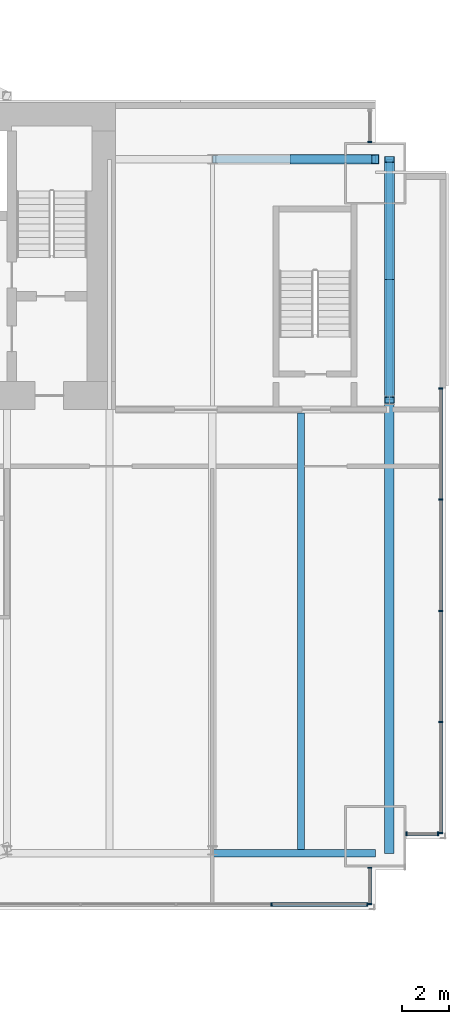
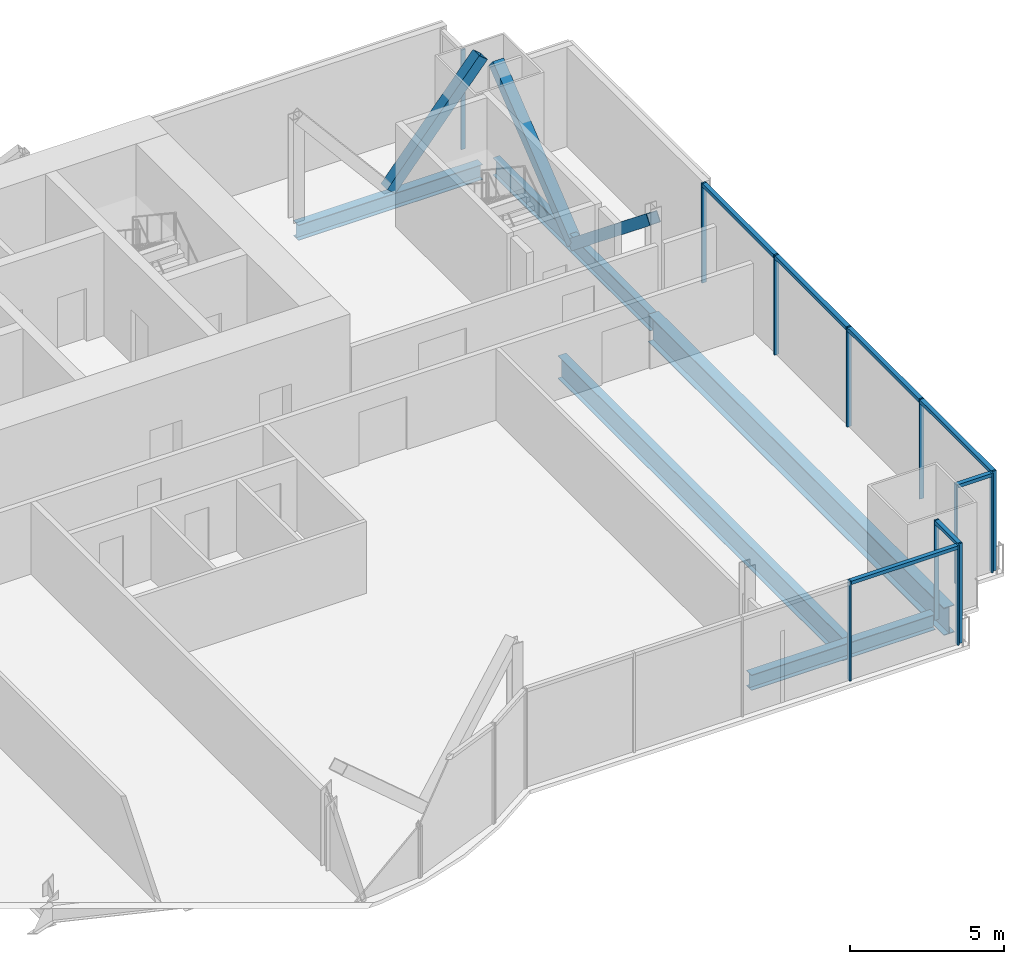
# One storey, part 12 of 21: 22 members, 5 beams, 5 elements without a shape of their own.
"""IFC4 building model written with IfcOpenShell, lengths in metres."""

import ifcopenshell
import ifcopenshell.guid

model = None  # the IFC model being written
_history = None  # IfcOwnerHistory: only IFC2X3 demands one
_inside = {}  # id of a spatial element -> (the spatial element, [elements in it])
_under = {}  # id of a project, library or spatial element -> (it, [spatial elements below it])
_declared = {}  # id of a project -> (the project, [libraries it declares])
_typed = {}  # id of a type object -> (the type object, [elements of that type])
_made_of = {}  # id of a material, layer set ... -> (it, [elements and type objects made of it])


def new_model(schema):
    """Start an empty IFC model of exactly this schema.

    Asked for "IFC4X3", IfcOpenShell would pick the latest addendum, in which some entities
    have other attributes; the version numbers below select the first issue.
    IFC2X3 requires an IfcOwnerHistory on every rooted entity: one is made here for all.
    """
    global model, _history
    if schema == "IFC4X3":
        model = ifcopenshell.file(schema_version=(4, 3, 0, 0))
    else:
        model = ifcopenshell.file(schema=schema)
    _inside.clear()
    _under.clear()
    _declared.clear()
    _typed.clear()
    _made_of.clear()
    _history = None
    if model.schema == "IFC2X3":
        org = make("IfcOrganization", Name="unknown")
        user = make(
            "IfcPersonAndOrganization",
            ThePerson=make("IfcPerson", FamilyName="unknown"),
            TheOrganization=org,
        )
        app = make(
            "IfcApplication",
            ApplicationDeveloper=org,
            Version="unknown",
            ApplicationFullName="unknown",
            ApplicationIdentifier="unknown",
        )
        _history = make(
            "IfcOwnerHistory",
            OwningUser=user,
            OwningApplication=app,
            ChangeAction="ADDED",
            CreationDate=0,
        )
    return model


def make(cls, **values):
    """One entity of the class cls with the attributes given. An attribute that is None is left unset."""
    return model.create_entity(
        cls, **{name: value for name, value in values.items() if value is not None}
    )


def rooted(cls, **values):
    """An entity with a GlobalId (a new one), such as an element, a storey or a relation."""
    return make(cls, GlobalId=ifcopenshell.guid.new(), OwnerHistory=_history, **values)


def si_unit(unit_type, name, prefix=None):
    """IfcSIUnit, for example si_unit("LENGTHUNIT", "METRE", prefix="MILLI")."""
    return make("IfcSIUnit", UnitType=unit_type, Prefix=prefix, Name=name)


def assignment(units):
    """IfcUnitAssignment: the units of a project."""
    return None if units is None else make("IfcUnitAssignment", Units=units)


def point(xyz):
    """IfcCartesianPoint."""
    return None if xyz is None else make("IfcCartesianPoint", Coordinates=xyz)


def direction(xyz):
    """IfcDirection."""
    return None if xyz is None else make("IfcDirection", DirectionRatios=xyz)


def frame(location, z_axis=None, x_axis=None):
    """IfcAxis2Placement3D, a coordinate frame: its origin and axes. An axis left out is left unset."""
    return make(
        "IfcAxis2Placement3D",
        Location=point(location),
        Axis=direction(z_axis),
        RefDirection=direction(x_axis),
    )


def frame_2d(location, x_axis=None):
    """IfcAxis2Placement2D, a coordinate frame in the plane: its origin and x axis."""
    return make(
        "IfcAxis2Placement2D", Location=point(location), RefDirection=direction(x_axis)
    )


def origin():
    """The frame at (0, 0, 0) with its axes left unset."""
    return frame((0.0, 0.0, 0.0))


def origin_2d():
    """The frame at (0, 0) in the plane with its x axis left unset."""
    return frame_2d((0.0, 0.0))


def place(relative_to, where):
    """IfcLocalPlacement: puts the frame where relative to a parent placement (None: the world)."""
    return make(
        "IfcLocalPlacement", PlacementRelTo=relative_to, RelativePlacement=where
    )


def context(
    kind, dimensions, precision=None, world=None, true_north=None, identifier=None
):
    """IfcGeometricRepresentationContext, for example the 3D "Model" context."""
    return make(
        "IfcGeometricRepresentationContext",
        ContextIdentifier=identifier,
        ContextType=kind,
        CoordinateSpaceDimension=dimensions,
        Precision=precision,
        WorldCoordinateSystem=world,
        TrueNorth=true_north,
    )


def subcontext(parent, identifier, kind, view, scale=None):
    """IfcGeometricRepresentationSubContext, for example "Body" below "Model"."""
    return make(
        "IfcGeometricRepresentationSubContext",
        ContextIdentifier=identifier,
        ContextType=kind,
        ParentContext=parent,
        TargetScale=scale,
        TargetView=view,
    )


def project(units=None, contexts=None):
    """IfcProject with its units and contexts."""
    return rooted(
        "IfcProject",
        Name="project",
        RepresentationContexts=contexts,
        UnitsInContext=assignment(units),
    )


def spatial(cls, under=None, at=None, **own):
    """A site, building, storey or space (cls), placed at a placement, below another one or the project."""
    s = rooted(cls, ObjectPlacement=at, **own)
    if under is not None:
        _under.setdefault(under.id(), (under, []))[1].append(s)
    return s


def profile(cls, at=None, kind="AREA", **sizes):
    """A parametric profile (cls). Its sizes go by their IFC names, for example OverallWidth=200.0."""
    return make(cls, ProfileType=kind, Position=at, **sizes)


def rectangle(**sizes):
    """IfcRectangleProfileDef."""
    return profile("IfcRectangleProfileDef", **sizes)


def hollow_rectangle(**sizes):
    """IfcRectangleHollowProfileDef."""
    return profile("IfcRectangleHollowProfileDef", **sizes)


def i_section(**sizes):
    """IfcIShapeProfileDef."""
    return profile("IfcIShapeProfileDef", **sizes)


def extrude(swept, where, along, depth):
    """IfcExtrudedAreaSolid: the profile swept, set in the frame where, extruded along a direction by depth."""
    return make(
        "IfcExtrudedAreaSolid",
        SweptArea=swept,
        Position=where,
        ExtrudedDirection=direction(along),
        Depth=depth,
    )


def shape(context_of_items, identifier, shape_type, items):
    """IfcShapeRepresentation: the items that make up one representation, for example the "Body"."""
    return make(
        "IfcShapeRepresentation",
        ContextOfItems=context_of_items,
        RepresentationIdentifier=identifier,
        RepresentationType=shape_type,
        Items=items,
    )


def material(Name=None, Category=None):
    """IfcMaterial."""
    return make("IfcMaterial", Name=Name, Category=Category)


def material_profile(
    of_material, cross_section, Name=None, Category=None, Priority=None
):
    """IfcMaterialProfile: a cross section and its material."""
    return make(
        "IfcMaterialProfile",
        Name=Name,
        Material=of_material,
        Profile=cross_section,
        Priority=Priority,
        Category=Category,
    )


def profile_set(profiles, Name=None, composite=None):
    """IfcMaterialProfileSet."""
    return make(
        "IfcMaterialProfileSet",
        Name=Name,
        MaterialProfiles=profiles,
        CompositeProfile=composite,
    )


def made_of(thing, what):
    """Note that an element or type object is made of a material, layer set ...; save() writes the relation."""
    if what is not None:
        _made_of.setdefault(what.id(), (what, []))[1].append(thing)
    return thing


def type_object(cls, material=None, **own):
    """A type object (cls), such as IfcWallType, which elements share."""
    return made_of(rooted(cls, **own), material)


def element(
    cls,
    number,
    at=None,
    inside=None,
    cuts=None,
    type_object=None,
    material=None,
    context=None,
    identifier="Body",
    shape_type=None,
    held_by="IfcProductDefinitionShape",
    body=None,
    shapes=None,
    **own,
):
    """One element of the class cls, such as IfcWall. Its Tag is "e" and its number.

    at: its placement. inside: the storey or other place that contains it. cuts: it is an
    opening in that element (IfcRelVoidsElement). A single representation is given by context,
    identifier, shape_type and body (its items); several are given by shapes. held_by: the class
    of the entity that holds the representations. save() writes the other relations.
    """
    e = rooted(cls, Tag="e%d" % number, ObjectPlacement=at, **own)
    if body is not None:
        shapes = [shape(context, identifier, shape_type, body)]
    if shapes is not None:
        e.Representation = make(held_by, Representations=shapes)
    if inside is not None:
        _inside.setdefault(inside.id(), (inside, []))[1].append(e)
    if cuts is not None:
        rooted(
            "IfcRelVoidsElement", RelatingBuildingElement=cuts, RelatedOpeningElement=e
        )
    if type_object is not None:
        _typed.setdefault(type_object.id(), (type_object, []))[1].append(e)
    return made_of(e, material)


def aggregate(whole, parts):
    """IfcRelAggregates: a whole, such as a stair, and the parts it consists of."""
    return rooted("IfcRelAggregates", RelatingObject=whole, RelatedObjects=parts)


def save(model, path):
    """Write the relations noted so far, then the file.

    IfcRelAggregates (storeys below a building ...), IfcRelContainedInSpatialStructure (elements
    in a storey), IfcRelDefinesByType, IfcRelAssociatesMaterial and IfcRelDeclares: one each for
    every whole, place, type object, material and project.
    """
    for whole, parts in _under.values():
        aggregate(whole, parts)
    for where, things in _inside.values():
        rooted(
            "IfcRelContainedInSpatialStructure",
            RelatedElements=things,
            RelatingStructure=where,
        )
    for kind, things in _typed.values():
        rooted("IfcRelDefinesByType", RelatedObjects=things, RelatingType=kind)
    for what, things in _made_of.values():
        rooted("IfcRelAssociatesMaterial", RelatedObjects=things, RelatingMaterial=what)
    for by, libraries in _declared.values():
        rooted("IfcRelDeclares", RelatingContext=by, RelatedDefinitions=libraries)
    model.write(path)


model = new_model("IFC4")

# Units and contexts
model_context = context("Model", 3, precision=1e-05, world=origin(), true_north=direction((0.0, 1.0)))
body_context = subcontext(model_context, "Body", "Model", "MODEL_VIEW")
ifc_project = project(units=[si_unit("LENGTHUNIT", "METRE"), si_unit("AREAUNIT", "SQUARE_METRE"), si_unit("VOLUMEUNIT", "CUBIC_METRE"), si_unit("PLANEANGLEUNIT", "RADIAN"), si_unit("MASSUNIT", "GRAM", prefix="KILO")], contexts=[model_context])

# Site, building, storey
site_placement = place(None, origin())
site = spatial("IfcSite", under=ifc_project, at=site_placement, CompositionType="ELEMENT")
building_placement = place(site_placement, origin())
building = spatial("IfcBuilding", under=site, at=building_placement, Name="Bicima Exchange Tower", CompositionType="ELEMENT")
storey_placement = place(building_placement, frame((0.0, 0.0, 173.199951171875)))
storey = spatial("IfcBuildingStorey", under=building, at=storey_placement, Name="L38", CompositionType="ELEMENT", Elevation=173.199951171875)

# Curtain wall, members
ifc_material_1 = material(Name="Anodised bronze aluminium", Category="aluminium")
curtain_wall_type_1 = type_object("IfcCurtainWallType", Name="End face glass wall", PredefinedType="NOTDEFINED", material=ifc_material_1)
curtain_wall_1_placement = place(storey_placement, origin())
curtain_wall_1 = element("IfcCurtainWall", 1, at=curtain_wall_1_placement, inside=storey, type_object=curtain_wall_type_1, Name="End face glass wall L38 run 19", PredefinedType="NOTDEFINED")
ifc_material_profile_1 = material_profile(ifc_material_1, rectangle(XDim=0.159912109375, YDim=0.06005859375, at=origin_2d()))
ifc_profile_set_1 = profile_set([ifc_material_profile_1], Name="Anodised bronze aluminium")
member_type_1 = type_object("IfcMemberType", Name="End face glass wall mullion 60 x 160", PredefinedType="MULLION", material=ifc_profile_set_1)
member_1_placement = place(storey_placement, frame((35.77001953125, -30.931884765625, 0.0), z_axis=(0.0, 0.0, 1.0), x_axis=(-1.0, 0.0, 0.0)))
member_1 = element("IfcMember", 2, at=member_1_placement, type_object=member_type_1, Name="End face glass wall mullion 1", PredefinedType="MULLION", context=body_context, shape_type="SweptSolid", body=[
    extrude(rectangle(XDim=0.159912109375, YDim=0.06005859375, at=origin_2d()), origin(), (0.0, 0.0, 1.0), 3.949951171875),
])
member_2_placement = place(storey_placement, frame((35.77001953125, -26.2265625, 0.0), z_axis=(0.0, 0.0, 1.0), x_axis=(-1.0, 0.0, 0.0)))
member_2 = element("IfcMember", 3, at=member_2_placement, type_object=member_type_1, Name="End face glass wall mullion 2", PredefinedType="MULLION", context=body_context, shape_type="SweptSolid", body=[
    extrude(rectangle(XDim=0.159912109375, YDim=0.06005859375, at=origin_2d()), origin(), (0.0, 0.0, 1.0), 3.949951171875),
])
member_3_placement = place(storey_placement, frame((35.77001953125, -21.52099609375, 0.0), z_axis=(0.0, 0.0, 1.0), x_axis=(-1.0, 0.0, 0.0)))
member_3 = element("IfcMember", 4, at=member_3_placement, type_object=member_type_1, Name="End face glass wall mullion 3", PredefinedType="MULLION", context=body_context, shape_type="SweptSolid", body=[
    extrude(rectangle(XDim=0.159912109375, YDim=0.06005859375, at=origin_2d()), origin(), (0.0, 0.0, 1.0), 3.949951171875),
])
member_4_placement = place(storey_placement, frame((35.77001953125, -16.8154296875, 0.0), z_axis=(0.0, 0.0, 1.0), x_axis=(-1.0, 0.0, 0.0)))
member_4 = element("IfcMember", 5, at=member_4_placement, type_object=member_type_1, Name="End face glass wall mullion 4", PredefinedType="MULLION", context=body_context, shape_type="SweptSolid", body=[
    extrude(rectangle(XDim=0.159912109375, YDim=0.06005859375, at=origin_2d()), origin(), (0.0, 0.0, 1.0), 3.949951171875),
])
member_5_placement = place(storey_placement, frame((35.77001953125, -12.110107421875, 0.0), z_axis=(0.0, 0.0, 1.0), x_axis=(-1.0, 0.0, 0.0)))
member_5 = element("IfcMember", 6, at=member_5_placement, type_object=member_type_1, Name="End face glass wall mullion 5", PredefinedType="MULLION", context=body_context, shape_type="SweptSolid", body=[
    extrude(rectangle(XDim=0.159912109375, YDim=0.06005859375, at=origin_2d()), origin(), (0.0, 0.0, 1.0), 3.949951171875),
])
ifc_material_profile_2 = material_profile(ifc_material_1, rectangle(XDim=0.159912109375, YDim=0.139892578125, at=origin_2d()))
ifc_profile_set_2 = profile_set([ifc_material_profile_2], Name="Anodised bronze aluminium")
member_type_2 = type_object("IfcMemberType", Name="End face glass wall transom 140 x 160", PredefinedType="USERDEFINED", material=ifc_profile_set_2)
member_6_placement = place(storey_placement, frame((35.77001953125, -30.902099609375, 3.880126953125), z_axis=(0.0, 1.0, 0.0), x_axis=(-1.0, 0.0, 0.0)))
member_6 = element("IfcMember", 7, at=member_6_placement, type_object=member_type_2, Name="End face glass wall transom 1.1", ObjectType="TRANSOM", PredefinedType="USERDEFINED", context=body_context, shape_type="SweptSolid", body=[
    extrude(rectangle(XDim=0.159912109375, YDim=0.139892578125, at=origin_2d()), origin(), (0.0, 0.0, 1.0), 4.6455078125),
])
member_7_placement = place(storey_placement, frame((35.77001953125, -26.196533203125, 3.880126953125), z_axis=(0.0, 1.0, 0.0), x_axis=(-1.0, 0.0, 0.0)))
member_7 = element("IfcMember", 8, at=member_7_placement, type_object=member_type_2, Name="End face glass wall transom 2.1", ObjectType="TRANSOM", PredefinedType="USERDEFINED", context=body_context, shape_type="SweptSolid", body=[
    extrude(rectangle(XDim=0.159912109375, YDim=0.139892578125, at=origin_2d()), origin(), (0.0, 0.0, 1.0), 4.6455078125),
])
member_8_placement = place(storey_placement, frame((35.77001953125, -21.490966796875, 3.880126953125), z_axis=(0.0, 1.0, 0.0), x_axis=(-1.0, 0.0, 0.0)))
member_8 = element("IfcMember", 9, at=member_8_placement, type_object=member_type_2, Name="End face glass wall transom 3.1", ObjectType="TRANSOM", PredefinedType="USERDEFINED", context=body_context, shape_type="SweptSolid", body=[
    extrude(rectangle(XDim=0.159912109375, YDim=0.139892578125, at=origin_2d()), origin(), (0.0, 0.0, 1.0), 4.6455078125),
])
member_9_placement = place(storey_placement, frame((35.77001953125, -16.785400390625, 3.880126953125), z_axis=(0.0, 1.0, 0.0), x_axis=(-1.0, 0.0, 0.0)))
member_9 = element("IfcMember", 10, at=member_9_placement, type_object=member_type_2, Name="End face glass wall transom 4.1", ObjectType="TRANSOM", PredefinedType="USERDEFINED", context=body_context, shape_type="SweptSolid", body=[
    extrude(rectangle(XDim=0.159912109375, YDim=0.139892578125, at=origin_2d()), origin(), (0.0, 0.0, 1.0), 4.6455078125),
])
aggregate(curtain_wall_1, [member_1, member_2, member_3, member_4, member_5, member_6, member_7, member_8, member_9])

# Beams
ifc_material_2 = material(Name="Steel ASTM A992 Gr 50", Category="steel")
ifc_material_profile_3 = material_profile(ifc_material_2, i_section(OverallWidth=0.256591796875, OverallDepth=0.693359375, WebThickness=0.014404296875, FlangeThickness=0.023681640625, at=origin_2d()))
ifc_profile_set_3 = profile_set([ifc_material_profile_3], Name="Steel ASTM A992 Gr 50")
beam_type_1 = type_object("IfcBeamType", Name="End girder W27x114", PredefinedType="BEAM", material=ifc_profile_set_3)
beam_1_placement = place(storey_placement, frame((33.60009765625, -2.39990234375, -0.49658203125), z_axis=(0.0, -1.0, 0.0), x_axis=(1.0, 0.0, 0.0)))
element("IfcBeam", 11, at=beam_1_placement, inside=storey, type_object=beam_type_1, Name="End girder", PredefinedType="BEAM", context=body_context, shape_type="SweptSolid", body=[
    extrude(i_section(OverallWidth=0.256591796875, OverallDepth=0.693359375, WebThickness=0.014404296875, FlangeThickness=0.023681640625, at=origin_2d()), origin(), (0.0, 0.0, 1.0), 10.2001953125),
])
ifc_material_profile_4 = material_profile(ifc_material_2, i_section(OverallWidth=0.4013671875, OverallDepth=1.089599609375, WebThickness=0.01806640625, FlangeThickness=0.031005859375, at=origin_2d()))
ifc_profile_set_4 = profile_set([ifc_material_profile_4], Name="Steel ASTM A992 Gr 50")
beam_type_2 = type_object("IfcBeamType", Name="End girder W44x230", PredefinedType="BEAM", material=ifc_profile_set_4)
beam_2_placement = place(storey_placement, frame((33.60009765625, -12.60009765625, -0.69482421875), z_axis=(0.0, -1.0, 0.0), x_axis=(1.0, 0.0, 0.0)))
element("IfcBeam", 12, at=beam_2_placement, inside=storey, type_object=beam_type_2, Name="End girder", PredefinedType="BEAM", context=body_context, shape_type="SweptSolid", body=[
    extrude(i_section(OverallWidth=0.4013671875, OverallDepth=1.089599609375, WebThickness=0.01806640625, FlangeThickness=0.031005859375, at=origin_2d()), origin(), (0.0, 0.0, 1.0), 19.19189453125),
])
ifc_material_profile_5 = material_profile(ifc_material_2, i_section(OverallWidth=0.3046875, OverallDepth=0.904296875, WebThickness=0.01513671875, FlangeThickness=0.02001953125, at=origin_2d()))
ifc_profile_set_5 = profile_set([ifc_material_profile_5], Name="Steel ASTM A992 Gr 50")
beam_type_3 = type_object("IfcBeamType", Name="Floor beam W36x135", PredefinedType="JOIST", material=ifc_profile_set_5)
beam_3_placement = place(storey_placement, frame((29.85009765625, -13.15234375, -0.60205078125), z_axis=(0.0, -1.0, 0.0), x_axis=(1.0, 0.0, 0.0)))
element("IfcBeam", 13, at=beam_3_placement, inside=storey, type_object=beam_type_3, Name="Floor beam", PredefinedType="JOIST", context=body_context, shape_type="SweptSolid", body=[
    extrude(i_section(OverallWidth=0.3046875, OverallDepth=0.904296875, WebThickness=0.01513671875, FlangeThickness=0.02001953125, at=origin_2d()), origin(), (0.0, 0.0, 1.0), 18.47705078125),
])
ifc_material_profile_6 = material_profile(ifc_material_2, i_section(OverallWidth=0.3251953125, OverallDepth=0.612060546875, WebThickness=0.0126953125, FlangeThickness=0.01904296875, at=origin_2d()))
ifc_profile_set_6 = profile_set([ifc_material_profile_6], Name="Steel ASTM A992 Gr 50")
beam_type_4 = type_object("IfcBeamType", Name="Front girder W24x104", PredefinedType="BEAM", material=ifc_profile_set_6)
beam_4_placement = place(storey_placement, frame((26.10009765625, -31.7919921875, -0.4560546875), z_axis=(1.0, 0.0, 0.0), x_axis=(0.0, 1.0, 0.0)))
element("IfcBeam", 14, at=beam_4_placement, inside=storey, type_object=beam_type_4, Name="Front girder", PredefinedType="BEAM", context=body_context, shape_type="SweptSolid", body=[
    extrude(i_section(OverallWidth=0.3251953125, OverallDepth=0.612060546875, WebThickness=0.0126953125, FlangeThickness=0.01904296875, at=origin_2d()), origin(), (0.0, 0.0, 1.0), 6.89990234375),
])

# Curtain wall, members
curtain_wall_type_2 = type_object("IfcCurtainWallType", Name="Front glass wall", PredefinedType="NOTDEFINED", material=ifc_material_1)
curtain_wall_2_placement = place(storey_placement, origin())
curtain_wall_2 = element("IfcCurtainWall", 15, at=curtain_wall_2_placement, inside=storey, type_object=curtain_wall_type_2, Name="Front glass wall L38 run 16", PredefinedType="NOTDEFINED")
member_type_3 = type_object("IfcMemberType", Name="Front glass wall mullion 60 x 160", PredefinedType="MULLION", material=ifc_profile_set_1)
member_10_placement = place(storey_placement, frame((28.610595703125, -33.9619140625, 0.0), z_axis=(0.0, 0.0, 1.0), x_axis=(0.0, 1.0, 0.0)))
member_10 = element("IfcMember", 16, at=member_10_placement, type_object=member_type_3, Name="Front glass wall mullion 4", PredefinedType="MULLION", context=body_context, shape_type="SweptSolid", body=[
    extrude(rectangle(XDim=0.159912109375, YDim=0.06005859375, at=origin_2d()), origin(), (0.0, 0.0, 1.0), 3.949951171875),
])
member_11_placement = place(storey_placement, frame((32.659912109375, -33.9619140625, 0.0), z_axis=(0.0, 0.0, 1.0), x_axis=(0.0, 1.0, 0.0)))
member_11 = element("IfcMember", 17, at=member_11_placement, type_object=member_type_3, Name="Front glass wall mullion 5", PredefinedType="MULLION", context=body_context, shape_type="SweptSolid", body=[
    extrude(rectangle(XDim=0.159912109375, YDim=0.06005859375, at=origin_2d()), origin(), (0.0, 0.0, 1.0), 3.949951171875),
])

curtain_wall_3_placement = place(storey_placement, origin())
curtain_wall_3 = element("IfcCurtainWall", 18, at=curtain_wall_3_placement, inside=storey, type_object=curtain_wall_type_2, Name="Front glass wall L38 run 17", PredefinedType="NOTDEFINED")
member_12_placement = place(storey_placement, frame((32.77001953125, -33.931884765625, 0.0), z_axis=(0.0, 0.0, 1.0), x_axis=(-1.0, 0.0, 0.0)))
member_12 = element("IfcMember", 19, at=member_12_placement, type_object=member_type_3, Name="Front glass wall mullion 1", PredefinedType="MULLION", context=body_context, shape_type="SweptSolid", body=[
    extrude(rectangle(XDim=0.159912109375, YDim=0.06005859375, at=origin_2d()), origin(), (0.0, 0.0, 1.0), 3.949951171875),
])
member_13_placement = place(storey_placement, frame((32.77001953125, -32.39990234375, 0.0), z_axis=(0.0, 0.0, 1.0), x_axis=(-1.0, 0.0, 0.0)))
member_13 = element("IfcMember", 20, at=member_13_placement, type_object=member_type_3, Name="Front glass wall mullion 2", PredefinedType="MULLION", context=body_context, shape_type="SweptSolid", body=[
    extrude(rectangle(XDim=0.159912109375, YDim=0.06005859375, at=origin_2d()), origin(), (0.0, 0.0, 1.0), 3.949951171875),
])

curtain_wall_4_placement = place(storey_placement, origin())
curtain_wall_4 = element("IfcCurtainWall", 21, at=curtain_wall_4_placement, inside=storey, type_object=curtain_wall_type_2, Name="Front glass wall L38 run 18", PredefinedType="NOTDEFINED")
member_14_placement = place(storey_placement, frame((34.330078125, -30.9619140625, 0.0), z_axis=(0.0, 0.0, 1.0), x_axis=(0.0, 1.0, 0.0)))
member_14 = element("IfcMember", 22, at=member_14_placement, type_object=member_type_3, Name="Front glass wall mullion 1", PredefinedType="MULLION", context=body_context, shape_type="SweptSolid", body=[
    extrude(rectangle(XDim=0.159912109375, YDim=0.06005859375, at=origin_2d()), origin(), (0.0, 0.0, 1.0), 3.949951171875),
])
member_15_placement = place(storey_placement, frame((35.659912109375, -30.9619140625, 0.0), z_axis=(0.0, 0.0, 1.0), x_axis=(0.0, 1.0, 0.0)))
member_15 = element("IfcMember", 23, at=member_15_placement, type_object=member_type_3, Name="Front glass wall mullion 2", PredefinedType="MULLION", context=body_context, shape_type="SweptSolid", body=[
    extrude(rectangle(XDim=0.159912109375, YDim=0.06005859375, at=origin_2d()), origin(), (0.0, 0.0, 1.0), 3.949951171875),
])

# Curtain wall, member
curtain_wall_5_placement = place(storey_placement, origin())
curtain_wall_5 = element("IfcCurtainWall", 24, at=curtain_wall_5_placement, inside=storey, type_object=curtain_wall_type_2, Name="Front glass wall L38 run 20", PredefinedType="NOTDEFINED")
member_16_placement = place(storey_placement, frame((32.77001953125, -1.669921875, 0.0), z_axis=(0.0, 0.0, 1.0), x_axis=(-1.0, 0.0, 0.0)))
member_16 = element("IfcMember", 25, at=member_16_placement, type_object=member_type_3, Name="Front glass wall mullion 1", PredefinedType="MULLION", context=body_context, shape_type="SweptSolid", body=[
    extrude(rectangle(XDim=0.159912109375, YDim=0.06005859375, at=origin_2d()), origin(), (0.0, 0.0, 1.0), 3.949951171875),
])
aggregate(curtain_wall_5, [member_16])

# Member
member_type_4 = type_object("IfcMemberType", Name="Front glass wall transom 140 x 160", PredefinedType="USERDEFINED", material=ifc_profile_set_2)
member_17_placement = place(storey_placement, frame((28.640380859375, -33.9619140625, 3.880126953125), z_axis=(1.0, 0.0, 0.0), x_axis=(0.0, 1.0, 0.0)))
member_17 = element("IfcMember", 26, at=member_17_placement, type_object=member_type_4, Name="Front glass wall transom 4.1", ObjectType="TRANSOM", PredefinedType="USERDEFINED", context=body_context, shape_type="SweptSolid", body=[
    extrude(rectangle(XDim=0.159912109375, YDim=0.139892578125, at=origin_2d()), origin(), (0.0, 0.0, 1.0), 3.989501953125),
])

aggregate(curtain_wall_2, [member_10, member_11, member_17])

member_18_placement = place(storey_placement, frame((32.77001953125, -33.902099609375, 3.880126953125), z_axis=(0.0, 1.0, 0.0), x_axis=(-1.0, 0.0, 0.0)))
member_18 = element("IfcMember", 27, at=member_18_placement, type_object=member_type_4, Name="Front glass wall transom 1.1", ObjectType="TRANSOM", PredefinedType="USERDEFINED", context=body_context, shape_type="SweptSolid", body=[
    extrude(rectangle(XDim=0.159912109375, YDim=0.139892578125, at=origin_2d()), origin(), (0.0, 0.0, 1.0), 1.47216796875),
])

aggregate(curtain_wall_3, [member_12, member_13, member_18])

member_19_placement = place(storey_placement, frame((34.360107421875, -30.9619140625, 3.880126953125), z_axis=(1.0, 0.0, 0.0), x_axis=(0.0, 1.0, 0.0)))
member_19 = element("IfcMember", 28, at=member_19_placement, type_object=member_type_4, Name="Front glass wall transom 1.1", ObjectType="TRANSOM", PredefinedType="USERDEFINED", context=body_context, shape_type="SweptSolid", body=[
    extrude(rectangle(XDim=0.159912109375, YDim=0.139892578125, at=origin_2d()), origin(), (0.0, 0.0, 1.0), 1.269775390625),
])

aggregate(curtain_wall_4, [member_14, member_15, member_19])

# Members
ifc_material_3 = material(Name="Steel ASTM A572 Gr 50", Category="steel")
ifc_material_profile_7 = material_profile(ifc_material_3, hollow_rectangle(XDim=0.406494140625, YDim=0.406494140625, WallThickness=0.017822265625, at=origin_2d()))
ifc_profile_set_7 = profile_set([ifc_material_profile_7], Name="Steel ASTM A572 Gr 50")
member_type_5 = type_object("IfcMemberType", Name="Mega brace HSS16x16x3/4", PredefinedType="BRACE", material=ifc_profile_set_7)
member_20_placement = place(storey_placement, frame((29.550048828125, -2.39990234375, 0.0), z_axis=(0.643834042494, 0.0, 0.765165162384), x_axis=(0.0, 1.0, 0.0)))
element("IfcMember", 29, at=member_20_placement, inside=storey, type_object=member_type_5, Name="Mega brace rear", PredefinedType="BRACE", context=body_context, shape_type="SweptSolid", body=[
    extrude(hollow_rectangle(XDim=0.406494140625, YDim=0.406494140625, WallThickness=0.017822265625, at=origin_2d()), origin(), (0.0, 0.0, 1.0), 5.3583984375),
])
for number, where, z_axis, x_axis, name in (
    (30, (33.60009765625, -7.5, -0.49658203125), (0.0, -0.779392460608, 0.626536026376), (1.0, 0.0, 0.0), "Mega brace east end"),
    (31, (33.60009765625, -7.5, -0.49658203125), (0.0, 0.779392460608, 0.626536026376), (-1.0, 0.0, 0.0), "Mega brace east end"),
):
    element("IfcMember", number, at=place(storey_placement, frame(where, z_axis=z_axis, x_axis=x_axis)), inside=storey, type_object=member_type_5, Name=name, PredefinedType="BRACE", context=body_context, shape_type="SweptSolid", body=[
        extrude(hollow_rectangle(XDim=0.406494140625, YDim=0.406494140625, WallThickness=0.017822265625, at=origin_2d()), origin(), (0.0, 0.0, 1.0), 6.543701171875),
    ])

# Beam
beam_type_5 = type_object("IfcBeamType", Name="Rear girder W24x104", PredefinedType="BEAM", material=ifc_profile_set_6)
beam_5_placement = place(storey_placement, frame((26.10009765625, -2.39990234375, -0.4560546875), z_axis=(1.0, 0.0, 0.0), x_axis=(0.0, 1.0, 0.0)))
element("IfcBeam", 32, at=beam_5_placement, inside=storey, type_object=beam_type_5, Name="Rear girder", PredefinedType="BEAM", context=body_context, shape_type="SweptSolid", body=[
    extrude(i_section(OverallWidth=0.3251953125, OverallDepth=0.612060546875, WebThickness=0.0126953125, FlangeThickness=0.01904296875, at=origin_2d()), origin(), (0.0, 0.0, 1.0), 6.89990234375),
])

save(model, "model.ifc")
